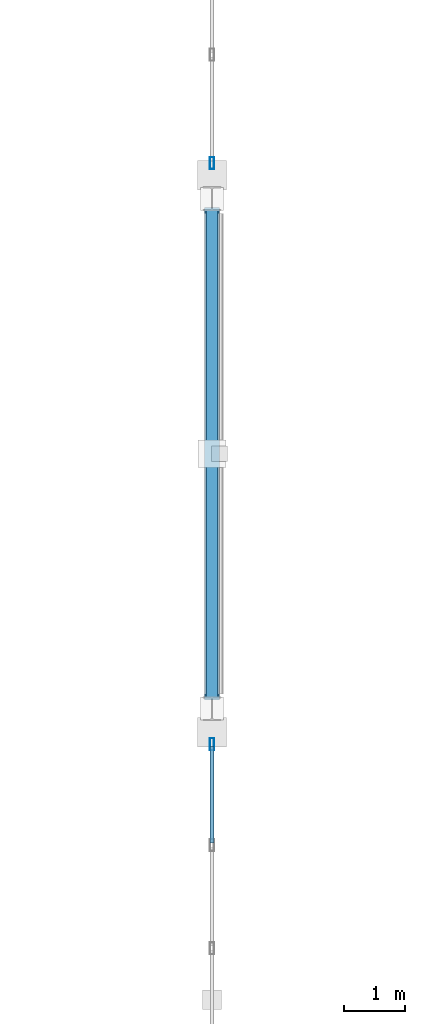
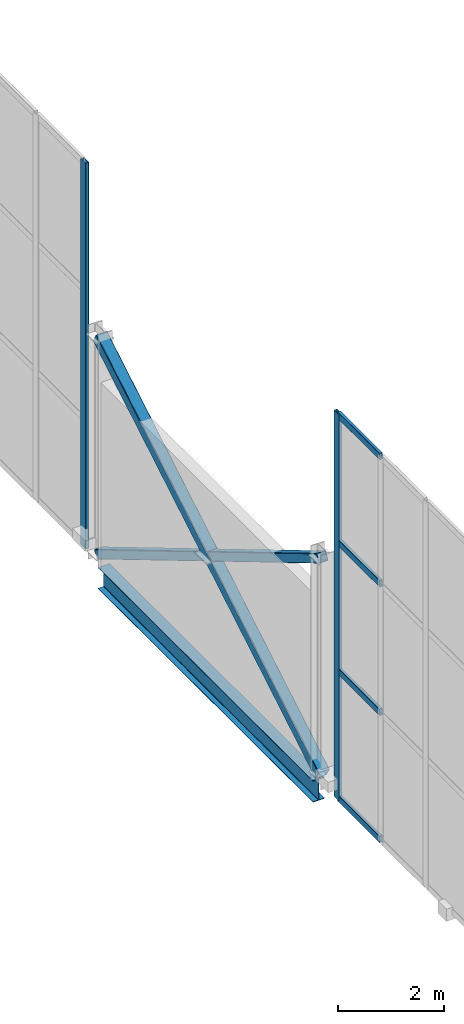
# One storey, part 82 of 175: 9 members, 1 beam, 2 elements without a shape of their own.
"""IFC4 building model written with IfcOpenShell, lengths in metres."""

from ifc_helpers import new_model, si_unit, direction, frame, origin, origin_2d, place, context, subcontext, project, spatial, hollow_rectangle, i_section, extrude, material, material_profile, profile_set, type_object, element, aggregate, save


model = new_model("IFC4")

# Units and contexts
model_context = context("Model", 3, precision=1e-05, world=origin(), true_north=direction((0.0, 1.0)))
body_context = subcontext(model_context, "Body", "Model", "MODEL_VIEW")
ifc_project = project(units=[si_unit("LENGTHUNIT", "METRE"), si_unit("AREAUNIT", "SQUARE_METRE"), si_unit("VOLUMEUNIT", "CUBIC_METRE"), si_unit("PLANEANGLEUNIT", "RADIAN"), si_unit("MASSUNIT", "GRAM", prefix="KILO")], contexts=[model_context])

# Site, building, storey
site_placement = place(None, origin())
site = spatial("IfcSite", under=ifc_project, at=site_placement, CompositionType="ELEMENT")
building_placement = place(site_placement, origin())
building = spatial("IfcBuilding", under=site, at=building_placement, Name="Brelvane Convention Centre", CompositionType="ELEMENT")
storey_placement = place(building_placement, frame((0.0, 0.0, 5.39990234375)))
storey = spatial("IfcBuildingStorey", under=building, at=storey_placement, Name="L01", CompositionType="ELEMENT", Elevation=5.39990234375)

# Curtain wall, member
ifc_material_1 = material(Name="Anodised Aluminium Alloy 6063-T6", Category="aluminium")
curtain_wall_type = type_object("IfcCurtainWallType", Name="Curtain Wall CW-BALL", PredefinedType="USERDEFINED", material=ifc_material_1)
curtain_wall_1_placement = place(storey_placement, origin())
curtain_wall_1 = element("IfcCurtainWall", 1, at=curtain_wall_1_placement, inside=storey, type_object=curtain_wall_type, Name="Curtain Wall CW-BALL L01-V3E-CW-L01-2", ObjectType="UNITISED", PredefinedType="USERDEFINED")
ifc_material_2 = material(Name="Anodised Aluminium Alloy 6063-T6", Category="aluminium")
ifc_material_profile_1 = material_profile(ifc_material_2, hollow_rectangle(XDim=0.074951171875, YDim=0.199951171875, WallThickness=0.0048828125, InnerFilletRadius=0.0048828125, OuterFilletRadius=0.010009765625, at=origin_2d()), Name="ALU-M 200x75x5.0")
ifc_profile_set_1 = profile_set([ifc_material_profile_1], Name="Anodised Aluminium Alloy 6063-T6")
member_type_1 = type_object("IfcMemberType", Name="Curtain Mullion CW-M2", PredefinedType="MULLION", material=ifc_profile_set_1)
member_1_placement = place(storey_placement, frame((224.39990234375, 118.21240234375, 0.0), z_axis=(0.0, 0.0, 1.0), x_axis=(-1.0, 0.0, 0.0)))
member_1 = element("IfcMember", 2, at=member_1_placement, type_object=member_type_1, Name="CW-BALL mullion 6", PredefinedType="MULLION", context=body_context, shape_type="SweptSolid", body=[
    extrude(hollow_rectangle(XDim=0.074951171875, YDim=0.199951171875, WallThickness=0.0048828125, InnerFilletRadius=0.0048828125, OuterFilletRadius=0.010009765625, at=origin_2d()), origin(), (0.0, 0.0, 1.0), 8.900146484375),
])

curtain_wall_2_placement = place(storey_placement, origin())
curtain_wall_2 = element("IfcCurtainWall", 3, at=curtain_wall_2_placement, inside=storey, type_object=curtain_wall_type, Name="Curtain Wall CW-BALL L01-V3E-CW-L01-4", ObjectType="UNITISED", PredefinedType="USERDEFINED")
member_2_placement = place(storey_placement, frame((224.39990234375, 127.78759765625, 0.0), z_axis=(0.0, 0.0, 1.0), x_axis=(-1.0, 0.0, 0.0)))
member_2 = element("IfcMember", 4, at=member_2_placement, type_object=member_type_1, Name="CW-BALL mullion 1", PredefinedType="MULLION", context=body_context, shape_type="SweptSolid", body=[
    extrude(hollow_rectangle(XDim=0.074951171875, YDim=0.199951171875, WallThickness=0.0048828125, InnerFilletRadius=0.0048828125, OuterFilletRadius=0.010009765625, at=origin_2d()), origin(), (0.0, 0.0, 1.0), 8.900146484375),
])
aggregate(curtain_wall_2, [member_2])

# Member
ifc_material_3 = material(Name="Anodised Aluminium Alloy 6063-T6", Category="aluminium")
ifc_material_profile_2 = material_profile(ifc_material_3, hollow_rectangle(XDim=0.070068359375, YDim=0.14990234375, WallThickness=0.00439453125, InnerFilletRadius=0.00439453125, OuterFilletRadius=0.009033203125, at=origin_2d()), Name="ALU-T 150x70x4.5")
ifc_profile_set_2 = profile_set([ifc_material_profile_2], Name="Anodised Aluminium Alloy 6063-T6")
member_type_2 = type_object("IfcMemberType", Name="Curtain Transom CW-T2", PredefinedType="USERDEFINED", material=ifc_profile_set_2)
member_3_placement = place(storey_placement, frame((224.39990234375, 116.58740234375, 0.03515625), z_axis=(0.0, 1.0, 0.0), x_axis=(-1.0, 0.0, 0.0)))
member_3 = element("IfcMember", 5, at=member_3_placement, type_object=member_type_2, Name="CW-BALL transom 5.1", ObjectType="TRANSOM", PredefinedType="USERDEFINED", context=body_context, shape_type="SweptSolid", body=[
    extrude(hollow_rectangle(XDim=0.070068359375, YDim=0.14990234375, WallThickness=0.00439453125, InnerFilletRadius=0.00439453125, OuterFilletRadius=0.009033203125, at=origin_2d()), origin(), (0.0, 0.0, 1.0), 1.587646484375),
])

member_4_placement = place(storey_placement, frame((224.39990234375, 116.58740234375, 2.966796875), z_axis=(0.0, 1.0, 0.0), x_axis=(-1.0, 0.0, 0.0)))
member_4 = element("IfcMember", 6, at=member_4_placement, type_object=member_type_2, Name="CW-BALL transom 5.2", ObjectType="TRANSOM", PredefinedType="USERDEFINED", context=body_context, shape_type="SweptSolid", body=[
    extrude(hollow_rectangle(XDim=0.070068359375, YDim=0.14990234375, WallThickness=0.00439453125, InnerFilletRadius=0.00439453125, OuterFilletRadius=0.009033203125, at=origin_2d()), origin(), (0.0, 0.0, 1.0), 1.587646484375),
])

member_5_placement = place(storey_placement, frame((224.39990234375, 116.58740234375, 5.933349609375), z_axis=(0.0, 1.0, 0.0), x_axis=(-1.0, 0.0, 0.0)))
member_5 = element("IfcMember", 7, at=member_5_placement, type_object=member_type_2, Name="CW-BALL transom 5.3", ObjectType="TRANSOM", PredefinedType="USERDEFINED", context=body_context, shape_type="SweptSolid", body=[
    extrude(hollow_rectangle(XDim=0.070068359375, YDim=0.14990234375, WallThickness=0.00439453125, InnerFilletRadius=0.00439453125, OuterFilletRadius=0.009033203125, at=origin_2d()), origin(), (0.0, 0.0, 1.0), 1.587646484375),
])

member_6_placement = place(storey_placement, frame((224.39990234375, 116.58740234375, 8.864990234375), z_axis=(0.0, 1.0, 0.0), x_axis=(-1.0, 0.0, 0.0)))
member_6 = element("IfcMember", 8, at=member_6_placement, type_object=member_type_2, Name="CW-BALL transom 5.4", ObjectType="TRANSOM", PredefinedType="USERDEFINED", context=body_context, shape_type="SweptSolid", body=[
    extrude(hollow_rectangle(XDim=0.070068359375, YDim=0.14990234375, WallThickness=0.00439453125, InnerFilletRadius=0.00439453125, OuterFilletRadius=0.009033203125, at=origin_2d()), origin(), (0.0, 0.0, 1.0), 1.587646484375),
])

aggregate(curtain_wall_1, [member_1, member_3, member_4, member_5, member_6])

# Members
ifc_material_4 = material(Name="Steel E350 (350 MPa)", Category="steel")
ifc_material_profile_3 = material_profile(ifc_material_4, hollow_rectangle(XDim=0.25, YDim=0.25, WallThickness=0.012451171875, InnerFilletRadius=0.012451171875, OuterFilletRadius=0.02490234375, at=origin_2d()), Name="SHS 250x250x12.5")
ifc_profile_set_3 = profile_set([ifc_material_profile_3], Name="Steel E350 (350 MPa)")
member_type_3 = type_object("IfcMemberType", Name="Steel Brace BR-ST2 (SHS 250x250x12.5)", PredefinedType="BRACE", material=ifc_profile_set_3)
member_7_placement = place(storey_placement, frame((224.39990234375, 118.800048828125, 0.2001953125), z_axis=(0.0, 0.859290270856, 0.511488250512), x_axis=(-1.0, 0.0, 0.0)))
element("IfcMember", 9, at=member_7_placement, inside=storey, type_object=member_type_3, Name="Lateral X-Brace Continuous V3E-1-L01-A", PredefinedType="BRACE", context=body_context, shape_type="SweptSolid", body=[
    extrude(hollow_rectangle(XDim=0.25, YDim=0.25, WallThickness=0.012451171875, InnerFilletRadius=0.012451171875, OuterFilletRadius=0.02490234375, at=origin_2d()), origin(), (0.0, 0.0, 1.0), 9.775390625),
])
ifc_material_5 = material(Name="Steel E350 (350 MPa)", Category="steel")
ifc_material_profile_4 = material_profile(ifc_material_5, hollow_rectangle(XDim=0.199951171875, YDim=0.199951171875, WallThickness=0.010009765625, InnerFilletRadius=0.010009765625, OuterFilletRadius=0.02001953125, at=origin_2d()), Name="SHS 200x200x10.0")
ifc_profile_set_4 = profile_set([ifc_material_profile_4], Name="Steel E350 (350 MPa)")
member_type_4 = type_object("IfcMemberType", Name="Steel Brace BR-ST3 (SHS 200x200x10.0)", PredefinedType="BRACE", material=ifc_profile_set_4)
for number, where, z_axis, x_axis, name in (
    (10, (224.39990234375, 127.199951171875, 0.2001953125), (0.0, -0.859290270856, 0.511488250512), (1.0, 0.0, 0.0), "Lateral X-Brace Split Lower V3E-1-L01-B1"),
    (11, (224.39990234375, 123.0, 2.7001953125), (0.0, -0.859290270856, 0.511488250512), (1.0, 0.0, 0.0), "Lateral X-Brace Split Upper V3E-1-L01-B2"),
):
    element("IfcMember", number, at=place(storey_placement, frame(where, z_axis=z_axis, x_axis=x_axis)), inside=storey, type_object=member_type_4, Name=name, PredefinedType="BRACE", context=body_context, shape_type="SweptSolid", body=[
        extrude(hollow_rectangle(XDim=0.199951171875, YDim=0.199951171875, WallThickness=0.010009765625, InnerFilletRadius=0.010009765625, OuterFilletRadius=0.02001953125, at=origin_2d()), origin(), (0.0, 0.0, 1.0), 4.8876953125),
    ])

# Beam
ifc_material_6 = material(Name="Steel E350 (350 MPa)", Category="steel")
ifc_material_profile_5 = material_profile(ifc_material_6, i_section(OverallWidth=0.25, OverallDepth=0.5, WebThickness=0.010009765625, FlangeThickness=0.0146484375, FilletRadius=0.01611328125, at=origin_2d()), Name="ISWB 500")
ifc_profile_set_5 = profile_set([ifc_material_profile_5], Name="Steel E350 (350 MPa)")
beam_type = type_object("IfcBeamType", Name="Steel Spandrel SP-ST1 (ISWB 500)", PredefinedType="SPANDREL", material=ifc_profile_set_5)
beam_placement = place(storey_placement, frame((224.39990234375, 118.93994140625, -0.25), z_axis=(0.0, 1.0, 0.0), x_axis=(-1.0, 0.0, 0.0)))
element("IfcBeam", 12, at=beam_placement, inside=storey, type_object=beam_type, Name="Ballroom East Braced Bay Girt L01", PredefinedType="SPANDREL", context=body_context, shape_type="SweptSolid", body=[
    extrude(i_section(OverallWidth=0.25, OverallDepth=0.5, WebThickness=0.010009765625, FlangeThickness=0.0146484375, FilletRadius=0.01611328125, at=origin_2d()), origin(), (0.0, 0.0, 1.0), 8.1201171875),
])

save(model, "model.ifc")
